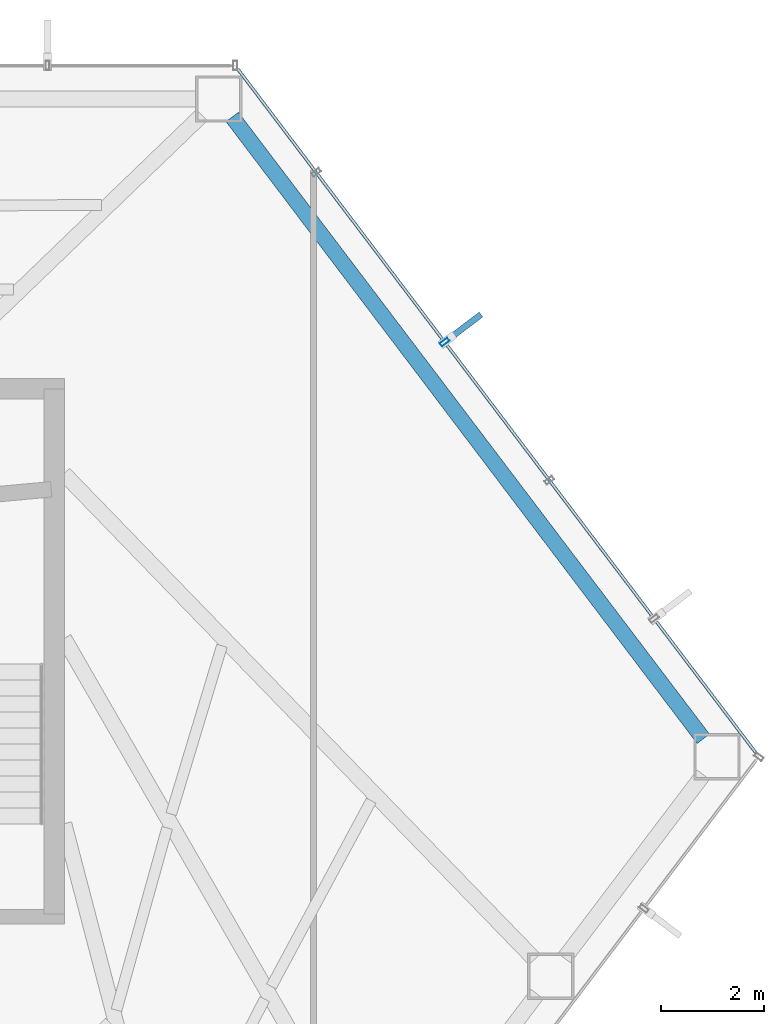
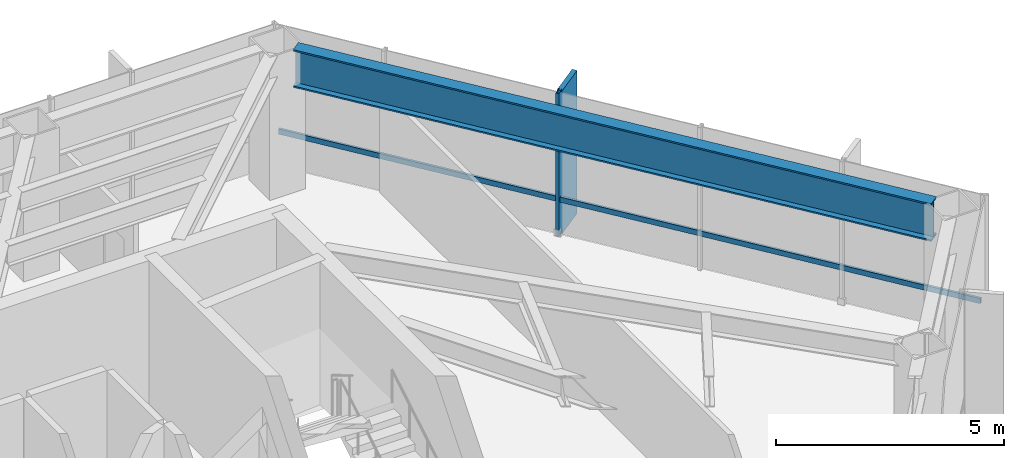
# One storey, part 19 of 24: 3 members, 1 beam, 1 element without a shape of its own.
"""IFC4 building model written with IfcOpenShell, lengths in metres."""

from ifc_helpers import new_model, si_unit, direction, frame, origin, origin_2d, place, context, subcontext, project, spatial, rectangle, hollow_rectangle, i_section, extrude, material, layer, layer_set, material_profile, profile_set, type_object, element, aggregate, save


model = new_model("IFC4")

# Units and contexts
model_context = context("Model", 3, precision=1e-05, world=origin(), true_north=direction((0.0, 1.0)))
body_context = subcontext(model_context, "Body", "Model", "MODEL_VIEW")
ifc_project = project(units=[si_unit("LENGTHUNIT", "METRE"), si_unit("AREAUNIT", "SQUARE_METRE"), si_unit("VOLUMEUNIT", "CUBIC_METRE"), si_unit("PLANEANGLEUNIT", "RADIAN"), si_unit("MASSUNIT", "GRAM", prefix="KILO")], contexts=[model_context])

# Site, building, storey
site_placement = place(None, origin())
site = spatial("IfcSite", under=ifc_project, at=site_placement, CompositionType="ELEMENT")
building_placement = place(site_placement, origin())
building = spatial("IfcBuilding", under=site, at=building_placement, Name="Zarrinselat Tower", CompositionType="ELEMENT")
storey_placement = place(building_placement, frame((0.0, 0.0, 72.419921875)))
storey = spatial("IfcBuildingStorey", under=building, at=storey_placement, Name="L17", CompositionType="ELEMENT", Elevation=72.419921875)

# Beam
ifc_material_1 = material(Name="Steel S460M", Category="steel")
ifc_material_profile_1 = material_profile(ifc_material_1, i_section(OverallWidth=0.302001953125, OverallDepth=1.008056640625, WebThickness=0.02099609375, FlangeThickness=0.0400390625, at=origin_2d()), Name="HEM 1000")
ifc_profile_set_1 = profile_set([ifc_material_profile_1], Name="Steel S460M")
beam_type = type_object("IfcBeamType", Name="BM-HEM1000", PredefinedType="BEAM", material=ifc_profile_set_1)
beam_placement = place(storey_placement, frame((51.7177734375, 48.734130859375, 3.316162109375), z_axis=(0.603842804342, -0.79710342343, 0.0), x_axis=(0.79710342343, 0.603842804342, 0.0)))
element("IfcBeam", 1, at=beam_placement, inside=storey, type_object=beam_type, Name="L17 Perimeter Spandrel Girder SP15", PredefinedType="BEAM", context=body_context, shape_type="SweptSolid", body=[
    extrude(i_section(OverallWidth=0.302001953125, OverallDepth=1.008056640625, WebThickness=0.02099609375, FlangeThickness=0.0400390625, at=origin_2d()), origin(), (0.0, 0.0, 1.0), 15.1591796875),
])

# Curtain wall, members
ifc_material_2 = material(Name="Extruded Aluminium Alloy EN AW-6063 T6", Category="aluminium")
ifc_layer = layer(ifc_material_2, 0.18505859375)
ifc_layer_set = layer_set([ifc_layer], Name="Extruded Aluminium Alloy EN AW-6063 T6")
curtain_wall_type = type_object("IfcCurtainWallType", Name="CWS-OFF", PredefinedType="NOTDEFINED", material=ifc_layer_set)
curtain_wall_placement = place(storey_placement, origin())
curtain_wall = element("IfcCurtainWall", 2, at=curtain_wall_placement, inside=storey, type_object=curtain_wall_type, Name="L17 Unitised Curtain Wall CW-L17-E06", PredefinedType="NOTDEFINED")
ifc_material_3 = material(Name="Extruded Aluminium Alloy EN AW-6063 T6", Category="aluminium")
ifc_material_profile_2 = material_profile(ifc_material_3, hollow_rectangle(XDim=0.080078125, YDim=0.179931640625, WallThickness=0.0048828125, at=origin_2d()), Name="RHS 180x80x5")
ifc_profile_set_2 = profile_set([ifc_material_profile_2], Name="Extruded Aluminium Alloy EN AW-6063 T6")
member_type_1 = type_object("IfcMemberType", Name="MEM-CW-MUL", PredefinedType="MULLION", material=ifc_profile_set_2)
member_1_placement = place(storey_placement, frame((55.846435546875, 44.360595703125, 0.0), z_axis=(0.0, 0.0, 1.0), x_axis=(-0.603856545426, 0.797093013736, 0.0)))
member_1 = element("IfcMember", 3, at=member_1_placement, type_object=member_type_1, Name="CW-L17-E06 Mullion 3", PredefinedType="MULLION", context=body_context, shape_type="SweptSolid", body=[
    extrude(hollow_rectangle(XDim=0.080078125, YDim=0.179931640625, WallThickness=0.0048828125, at=origin_2d()), origin(), (0.0, 0.0, 1.0), 3.820068359375),
])
ifc_material_4 = material(Name="Extruded Aluminium Alloy EN AW-6063 T6", Category="aluminium")
ifc_material_profile_3 = material_profile(ifc_material_4, hollow_rectangle(XDim=0.06005859375, YDim=0.139892578125, WallThickness=0.00390625, at=origin_2d()), Name="RHS 140x60x4")
ifc_profile_set_3 = profile_set([ifc_material_profile_3], Name="Extruded Aluminium Alloy EN AW-6063 T6")
member_type_2 = type_object("IfcMemberType", Name="MEM-CW-TRN", PredefinedType="USERDEFINED", material=ifc_profile_set_3)
member_2_placement = place(storey_placement, frame((61.8974609375, 36.373291015625, 0.9501953125), z_axis=(-0.603856842127, 0.797092788963, 0.0), x_axis=(-0.797092788963, -0.603856842127, 0.0)))
member_2 = element("IfcMember", 4, at=member_2_placement, type_object=member_type_2, Name="CW-L17-E06 Transom 1", ObjectType="TRANSOM", PredefinedType="USERDEFINED", context=body_context, shape_type="SweptSolid", body=[
    extrude(hollow_rectangle(XDim=0.06005859375, YDim=0.139892578125, WallThickness=0.00390625, at=origin_2d()), origin(), (0.0, 0.0, 1.0), 16.6708984375),
])
ifc_material_5 = material(Name="Honed Cream Travertine Stone", Category="masonry")
ifc_material_profile_4 = material_profile(ifc_material_5, rectangle(XDim=0.1201171875, YDim=0.85009765625, at=origin_2d()), Name="FIN 850x120")
ifc_profile_set_4 = profile_set([ifc_material_profile_4], Name="Honed Cream Travertine Stone")
member_type_3 = type_object("IfcMemberType", Name="MEM-STONE-FIN", PredefinedType="USERDEFINED", material=ifc_profile_set_4)
member_3_placement = place(storey_placement, frame((56.213134765625, 44.638427734375, 0.0), z_axis=(0.0, 0.0, 1.0), x_axis=(0.603856545426, -0.797093013736, 0.0)))
member_3 = element("IfcMember", 5, at=member_3_placement, type_object=member_type_3, Name="L17 Stone Shading Fin CW-L17-E06-03", ObjectType="FIN", PredefinedType="USERDEFINED", context=body_context, shape_type="SweptSolid", body=[
    extrude(rectangle(XDim=0.1201171875, YDim=0.85009765625, at=origin_2d()), origin(), (0.0, 0.0, 1.0), 3.820068359375),
])
aggregate(curtain_wall, [member_1, member_3, member_2])

save(model, "model.ifc")
